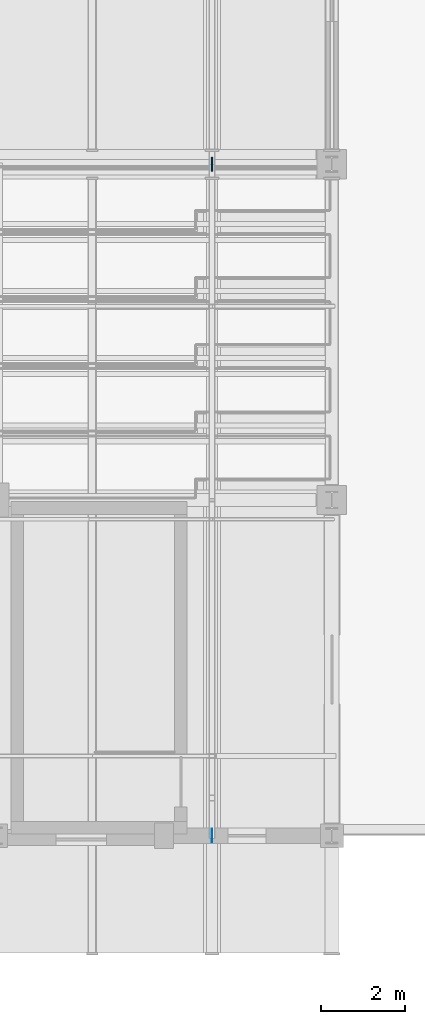
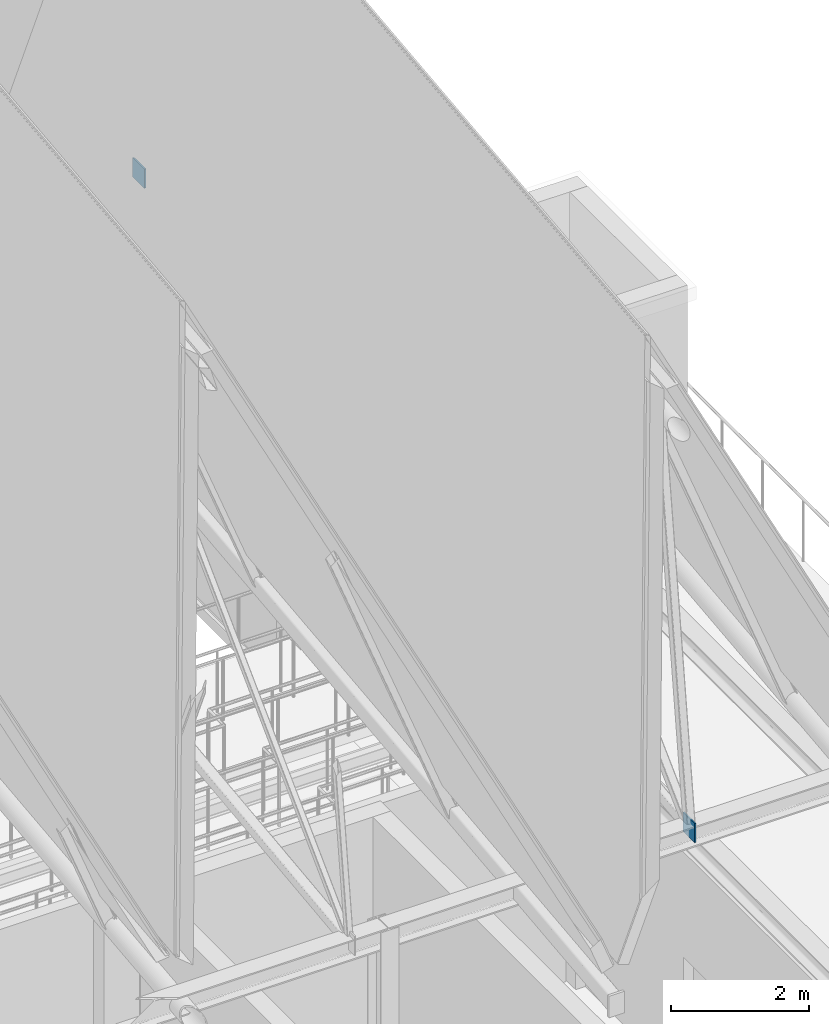
# One storey, part 35 of 77: 2 plates.
"""IFC4 building model written with IfcOpenShell, lengths in metres."""

from ifc_helpers import new_model, si_unit, direction, frame, origin, origin_2d, place, context, subcontext, project, spatial, rectangle, extrude, material, layer, layer_set, type_object, element, save


model = new_model("IFC4")

# Units and contexts
model_context = context("Model", 3, precision=1e-05, world=origin(), true_north=direction((0.0, 1.0)))
body_context = subcontext(model_context, "Body", "Model", "MODEL_VIEW")
ifc_project = project(units=[si_unit("LENGTHUNIT", "METRE"), si_unit("AREAUNIT", "SQUARE_METRE"), si_unit("VOLUMEUNIT", "CUBIC_METRE"), si_unit("PLANEANGLEUNIT", "RADIAN"), si_unit("MASSUNIT", "GRAM", prefix="KILO")], contexts=[model_context])

# Site, building, storey
site_placement = place(None, origin())
site = spatial("IfcSite", under=ifc_project, at=site_placement, CompositionType="ELEMENT")
building_placement = place(site_placement, origin())
building = spatial("IfcBuilding", under=site, at=building_placement, Name="Luwemba Playhouse", CompositionType="ELEMENT")
storey_placement = place(building_placement, frame((0.0, 0.0, 9.300048828125)))
storey = spatial("IfcBuildingStorey", under=building, at=storey_placement, Name="L02", CompositionType="ELEMENT", Elevation=9.300048828125)

# Plates
ifc_material = material(Name="Steel S355", Category="steel")
ifc_layer_1 = layer(ifc_material, 0.02001953125)
ifc_layer_set_1 = layer_set([ifc_layer_1], Name="Steel S355")
plate_type_1 = type_object("IfcPlateType", Name="PLT-GP2", PredefinedType="USERDEFINED", material=ifc_layer_set_1)
plate_1_placement = place(storey_placement, frame((41.142822265625, 36.0, 8.22998046875), z_axis=(0.0, 0.0, 1.0), x_axis=(1.0, 0.0, 0.0)))
element("IfcPlate", 1, at=plate_1_placement, inside=storey, type_object=plate_type_1, Name="Truss node gusset cap plate 0019", ObjectType="GUSSET PLATE", PredefinedType="USERDEFINED", context=body_context, shape_type="SweptSolid", body=[
    extrude(rectangle(XDim=0.02001953125, YDim=0.340087890625, at=origin_2d()), origin(), (0.0, 0.0, 1.0), 0.340087890625),
])
ifc_layer_2 = layer(ifc_material, 0.02490234375)
ifc_layer_set_2 = layer_set([ifc_layer_2], Name="Steel S355")
plate_type_2 = type_object("IfcPlateType", Name="PLT-GP3", PredefinedType="USERDEFINED", material=ifc_layer_set_2)
plate_2_placement = place(storey_placement, frame((41.142822265625, 52.0, 10.14453125), z_axis=(0.0, 0.0, 1.0), x_axis=(1.0, 0.0, 0.0)))
element("IfcPlate", 2, at=plate_2_placement, inside=storey, type_object=plate_type_2, Name="Truss node gusset cap plate 0020", ObjectType="GUSSET PLATE", PredefinedType="USERDEFINED", context=body_context, shape_type="SweptSolid", body=[
    extrude(rectangle(XDim=0.02490234375, YDim=0.340087890625, at=origin_2d()), origin(), (0.0, 0.0, 1.0), 0.340087890625),
])

save(model, "model.ifc")
